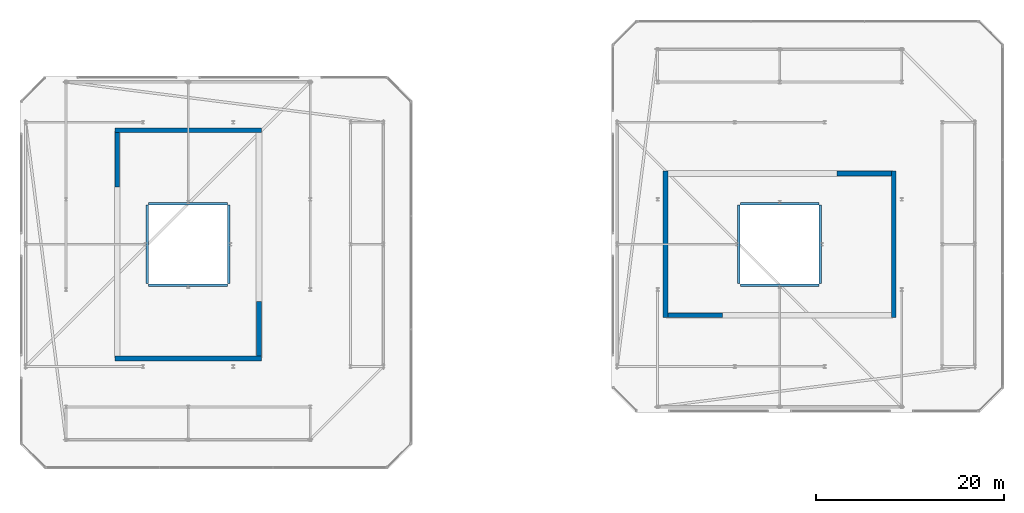
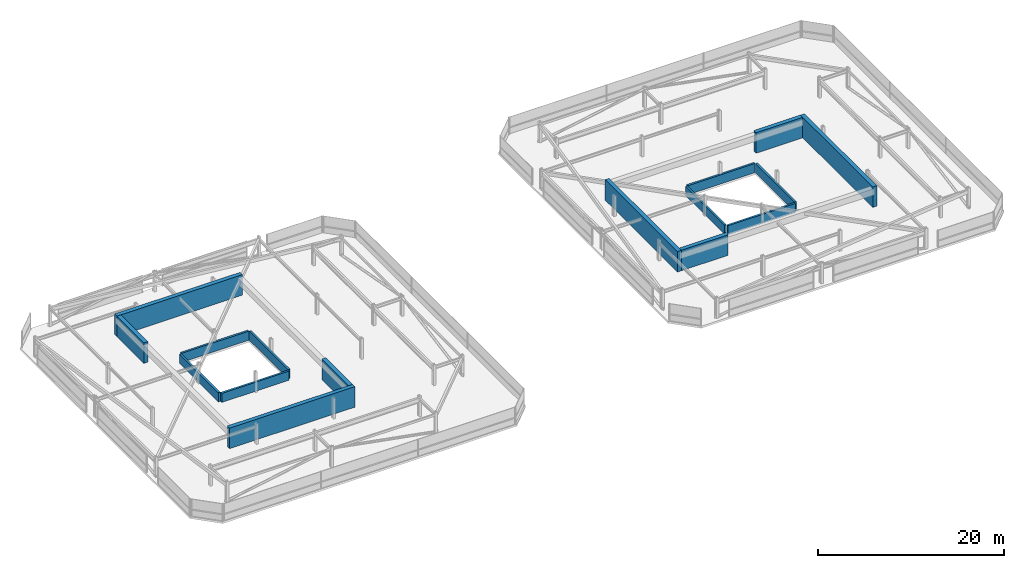
# One storey, part 42 of 42: 16 walls.
"""IFC4 building model written with IfcOpenShell, lengths in metres."""

from ifc_helpers import new_model, si_unit, direction, frame, frame_2d, origin, place, context, subcontext, project, spatial, rectangle, extrude, material, layer, layer_set, type_object, element, save


model = new_model("IFC4")

# Units and contexts
model_context = context("Model", 3, precision=1e-05, world=origin(), true_north=direction((0.0, 1.0)))
body_context = subcontext(model_context, "Body", "Model", "MODEL_VIEW")
ifc_project = project(units=[si_unit("LENGTHUNIT", "METRE"), si_unit("AREAUNIT", "SQUARE_METRE"), si_unit("VOLUMEUNIT", "CUBIC_METRE"), si_unit("PLANEANGLEUNIT", "RADIAN"), si_unit("MASSUNIT", "GRAM", prefix="KILO")], contexts=[model_context])

# Site, building, storey
site_placement = place(None, origin())
site = spatial("IfcSite", under=ifc_project, at=site_placement, CompositionType="ELEMENT")
building_placement = place(site_placement, origin())
building = spatial("IfcBuilding", under=site, at=building_placement, Name="Thornwick Lancets Civic Towers", CompositionType="ELEMENT")
storey_placement = place(building_placement, frame((0.0, 0.0, 289.5)))
storey = spatial("IfcBuildingStorey", under=building, at=storey_placement, Name="C04", CompositionType="ELEMENT", Elevation=289.5)

# Walls
ifc_material_1 = material(Name="Concrete C50/60", Category="concrete")
ifc_layer_1 = layer(ifc_material_1, 0.5, Name="Concrete C50/60")
ifc_layer_set_1 = layer_set([ifc_layer_1], Name="Concrete C50/60")
wall_type_1 = type_object("IfcWallType", Name="WALL_CORE_500", PredefinedType="SHEAR", material=ifc_layer_set_1)
wall_1_placement = place(storey_placement, frame((17.699951171875, 14.85009765625, 0.0), z_axis=(0.0, 0.0, 1.0), x_axis=(1.0, 0.0, 0.0)))
element("IfcWall", 1, at=wall_1_placement, inside=storey, type_object=wall_type_1, Name="C04 Split Core A1 Shear Wall S", PredefinedType="SHEAR", context=body_context, shape_type="SweptSolid", body=[
    extrude(rectangle(XDim=15.60009765625, YDim=0.5, at=frame_2d((7.800048828125, 0.0))), origin(), (0.0, 0.0, 1.0), 2.699951171875),
])
wall_2_placement = place(storey_placement, frame((33.050048828125, 15.10009765625, 0.0), z_axis=(0.0, 0.0, 1.0), x_axis=(0.0, 1.0, 0.0)))
element("IfcWall", 2, at=wall_2_placement, inside=storey, type_object=wall_type_1, Name="C04 Split Core A1 Shear Wall E", PredefinedType="SHEAR", context=body_context, shape_type="SweptSolid", body=[
    extrude(rectangle(XDim=5.7998046875, YDim=0.5, at=frame_2d((2.89990234375, 0.0))), origin(), (0.0, 0.0, 1.0), 2.699951171875),
])
wall_3_placement = place(storey_placement, frame((17.699951171875, 39.14990234375, 0.0), z_axis=(0.0, 0.0, 1.0), x_axis=(1.0, 0.0, 0.0)))
element("IfcWall", 3, at=wall_3_placement, inside=storey, type_object=wall_type_1, Name="C04 Split Core A2 Shear Wall N", PredefinedType="SHEAR", context=body_context, shape_type="SweptSolid", body=[
    extrude(rectangle(XDim=15.60009765625, YDim=0.5, at=frame_2d((7.800048828125, 0.0))), origin(), (0.0, 0.0, 1.0), 2.699951171875),
])
wall_4_placement = place(storey_placement, frame((17.949951171875, 33.10009765625, 0.0), z_axis=(0.0, 0.0, 1.0), x_axis=(0.0, 1.0, 0.0)))
element("IfcWall", 4, at=wall_4_placement, inside=storey, type_object=wall_type_1, Name="C04 Split Core A2 Shear Wall W", PredefinedType="SHEAR", context=body_context, shape_type="SweptSolid", body=[
    extrude(rectangle(XDim=5.7998046875, YDim=0.5, at=frame_2d((2.89990234375, 0.0))), origin(), (0.0, 0.0, 1.0), 2.699951171875),
])
wall_5_placement = place(storey_placement, frame((100.64990234375, 19.199951171875, 0.0), z_axis=(0.0, 0.0, 1.0), x_axis=(0.0, 1.0, 0.0)))
element("IfcWall", 5, at=wall_5_placement, inside=storey, type_object=wall_type_1, Name="C04 Split Core B1 Shear Wall E", PredefinedType="SHEAR", context=body_context, shape_type="SweptSolid", body=[
    extrude(rectangle(XDim=15.60009765625, YDim=0.5, at=frame_2d((7.800048828125, 0.0))), origin(), (0.0, 0.0, 1.0), 2.699951171875),
])
wall_6_placement = place(storey_placement, frame((94.60009765625, 34.550048828125, 0.0), z_axis=(0.0, 0.0, 1.0), x_axis=(1.0, 0.0, 0.0)))
element("IfcWall", 6, at=wall_6_placement, inside=storey, type_object=wall_type_1, Name="C04 Split Core B1 Shear Wall N", PredefinedType="SHEAR", context=body_context, shape_type="SweptSolid", body=[
    extrude(rectangle(XDim=5.7998046875, YDim=0.5, at=frame_2d((2.89990234375, 0.0))), origin(), (0.0, 0.0, 1.0), 2.699951171875),
])
wall_7_placement = place(storey_placement, frame((76.35009765625, 19.199951171875, 0.0), z_axis=(0.0, 0.0, 1.0), x_axis=(0.0, 1.0, 0.0)))
element("IfcWall", 7, at=wall_7_placement, inside=storey, type_object=wall_type_1, Name="C04 Split Core B2 Shear Wall W", PredefinedType="SHEAR", context=body_context, shape_type="SweptSolid", body=[
    extrude(rectangle(XDim=15.60009765625, YDim=0.5, at=frame_2d((7.800048828125, 0.0))), origin(), (0.0, 0.0, 1.0), 2.699951171875),
])
wall_8_placement = place(storey_placement, frame((76.60009765625, 19.449951171875, 0.0), z_axis=(0.0, 0.0, 1.0), x_axis=(1.0, 0.0, 0.0)))
element("IfcWall", 8, at=wall_8_placement, inside=storey, type_object=wall_type_1, Name="C04 Split Core B2 Shear Wall S", PredefinedType="SHEAR", context=body_context, shape_type="SweptSolid", body=[
    extrude(rectangle(XDim=5.7998046875, YDim=0.5, at=frame_2d((2.89990234375, 0.0))), origin(), (0.0, 0.0, 1.0), 2.699951171875),
])
ifc_material_2 = material(Name="Architectural terracotta parapet C40/50", Category="masonry")
ifc_layer_2 = layer(ifc_material_2, 0.25, Name="Architectural terracotta parapet C40/50")
ifc_layer_set_2 = layer_set([ifc_layer_2], Name="Architectural terracotta parapet C40/50")
wall_type_2 = type_object("IfcWallType", Name="WALL_PARAPET_250", PredefinedType="PARAPET", material=ifc_layer_set_2)
for number, where, z_axis, x_axis, name in (
    (9, (21.31005859375, 22.659912109375, 0.0), (0.0, 0.0, 1.0), (1.0, 0.0, 0.0), "C04 Tower A Crown Atrium Curb S"),
    (10, (29.68994140625, 31.340087890625, 0.0), (0.0, 0.0, 1.0), (-1.0, 0.0, 0.0), "C04 Tower A Crown Atrium Curb N"),
    (11, (21.159912109375, 31.18994140625, 0.0), (0.0, 0.0, 1.0), (0.0, -1.0, 0.0), "C04 Tower A Crown Atrium Curb W"),
    (12, (29.840087890625, 22.81005859375, 0.0), (0.0, 0.0, 1.0), (0.0, 1.0, 0.0), "C04 Tower A Crown Atrium Curb E"),
    (13, (84.31005859375, 22.659912109375, 0.0), (0.0, 0.0, 1.0), (1.0, 0.0, 0.0), "C04 Tower B Crown Atrium Curb S"),
    (14, (92.68994140625, 31.340087890625, 0.0), (0.0, 0.0, 1.0), (-1.0, 0.0, 0.0), "C04 Tower B Crown Atrium Curb N"),
    (15, (84.159912109375, 31.18994140625, 0.0), (0.0, 0.0, 1.0), (0.0, -1.0, 0.0), "C04 Tower B Crown Atrium Curb W"),
    (16, (92.840087890625, 22.81005859375, 0.0), (0.0, 0.0, 1.0), (0.0, 1.0, 0.0), "C04 Tower B Crown Atrium Curb E"),
):
    element("IfcWall", number, at=place(storey_placement, frame(where, z_axis=z_axis, x_axis=x_axis)), inside=storey, type_object=wall_type_2, Name=name, PredefinedType="PARAPET", context=body_context, shape_type="SweptSolid", body=[
        extrude(rectangle(XDim=8.3798828125, YDim=0.25, at=frame_2d((4.18994140625, 0.0))), origin(), (0.0, 0.0, 1.0), 1.199951171875),
    ])

save(model, "model.ifc")
